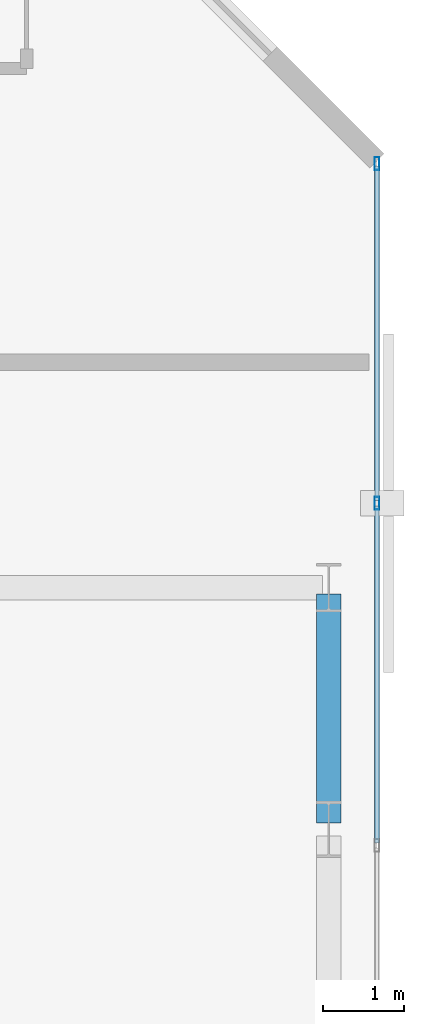
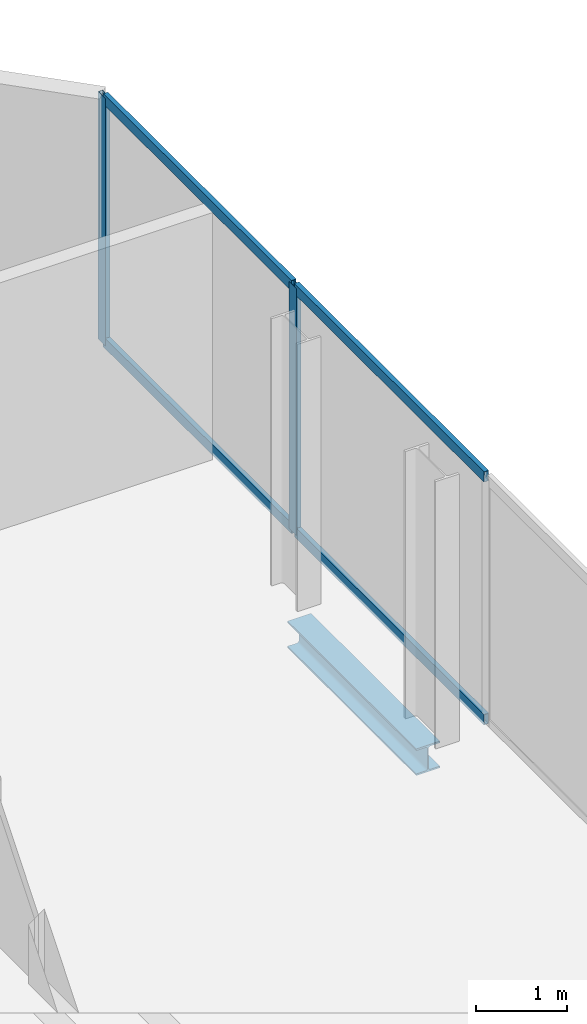
# One storey, part 26 of 32: 6 members, 1 beam, 1 element without a shape of its own.
"""IFC4 building model written with IfcOpenShell, lengths in metres."""

from ifc_helpers import new_model, si_unit, direction, frame, origin, origin_2d, place, context, subcontext, project, spatial, hollow_rectangle, i_section, extrude, material, layer, layer_set, material_profile, profile_set, type_object, element, aggregate, save


model = new_model("IFC4")

# Units and contexts
model_context = context("Model", 3, precision=1e-05, world=origin(), true_north=direction((0.0, 1.0)))
body_context = subcontext(model_context, "Body", "Model", "MODEL_VIEW")
ifc_project = project(units=[si_unit("LENGTHUNIT", "METRE"), si_unit("AREAUNIT", "SQUARE_METRE"), si_unit("VOLUMEUNIT", "CUBIC_METRE"), si_unit("PLANEANGLEUNIT", "RADIAN"), si_unit("MASSUNIT", "GRAM", prefix="KILO")], contexts=[model_context])

# Site, building, storey
site_placement = place(None, origin())
site = spatial("IfcSite", under=ifc_project, at=site_placement, CompositionType="ELEMENT")
building_placement = place(site_placement, origin())
building = spatial("IfcBuilding", under=site, at=building_placement, Name="Catumbela Crestline Tower", CompositionType="ELEMENT")
storey_placement = place(building_placement, frame((0.0, 0.0, 133.2)))
storey = spatial("IfcBuildingStorey", under=building, at=storey_placement, Name="L34", CompositionType="ELEMENT", Elevation=133.2)

# Curtain wall, members
ifc_material_1 = material(Name="Aluminium alloy AW-6060-T66", Category="aluminium")
ifc_layer = layer(ifc_material_1, 0.18, Name="Aluminium alloy AW-6060-T66")
ifc_layer_set = layer_set([ifc_layer], Name="Aluminium alloy AW-6060-T66")
curtain_wall_type = type_object("IfcCurtainWallType", Name="CWU-Z2", PredefinedType="USERDEFINED", material=ifc_layer_set)
curtain_wall_placement = place(storey_placement, origin())
curtain_wall = element("IfcCurtainWall", 1, at=curtain_wall_placement, inside=storey, type_object=curtain_wall_type, Name="L34 Unitised Curtain Wall CW-L34-E5S1", ObjectType="UNITISED", PredefinedType="USERDEFINED")
ifc_material_profile_1 = material_profile(ifc_material_1, hollow_rectangle(XDim=0.06, YDim=0.16, WallThickness=0.004, at=origin_2d()), Name="ALU 160x60x4")
ifc_profile_set_1 = profile_set([ifc_material_profile_1], Name="Aluminium alloy AW-6060-T66")
member_type_1 = type_object("IfcMemberType", Name="MUL-160X60", PredefinedType="MULLION", material=ifc_profile_set_1)
member_1_placement = place(storey_placement, frame((51.0, 40.25, 0.0), z_axis=(0.0, 0.0, 1.0), x_axis=(-1.0, 0.0, 0.0)))
member_1 = element("IfcMember", 2, at=member_1_placement, type_object=member_type_1, Name="CWU-Z2 mullion 4", PredefinedType="MULLION", context=body_context, shape_type="SweptSolid", body=[
    extrude(hollow_rectangle(XDim=0.06, YDim=0.16, WallThickness=0.004, at=origin_2d()), origin(), (0.0, 0.0, 1.0), 3.33),
])
member_2_placement = place(storey_placement, frame((51.0, 44.4675, 0.0), z_axis=(0.0, 0.0, 1.0), x_axis=(-1.0, 0.0, 0.0)))
member_2 = element("IfcMember", 3, at=member_2_placement, type_object=member_type_1, Name="CWU-Z2 mullion 5", PredefinedType="MULLION", context=body_context, shape_type="SweptSolid", body=[
    extrude(hollow_rectangle(XDim=0.06, YDim=0.16, WallThickness=0.004, at=origin_2d()), origin(), (0.0, 0.0, 1.0), 3.33),
])

# Beam
ifc_material_2 = material(Name="Structural steel S355J2", Category="steel")
ifc_material_profile_2 = material_profile(ifc_material_2, i_section(OverallWidth=0.3, OverallDepth=0.36, WebThickness=0.0125, FlangeThickness=0.0225, FilletRadius=0.027, at=origin_2d()), Name="HEB 360")
ifc_profile_set_2 = profile_set([ifc_material_profile_2], Name="Structural steel S355J2")
beam_type = type_object("IfcBeamType", Name="BS-HEB360", PredefinedType="SPANDREL", material=ifc_profile_set_2)
beam_placement = place(storey_placement, frame((50.4, 36.28, -0.44), z_axis=(0.0, 1.0, 0.0), x_axis=(-1.0, 0.0, 0.0)))
element("IfcBeam", 4, at=beam_placement, inside=storey, type_object=beam_type, Name="L34 Spandrel SP-L34-SN36", PredefinedType="SPANDREL", context=body_context, shape_type="SweptSolid", body=[
    extrude(i_section(OverallWidth=0.3, OverallDepth=0.36, WebThickness=0.0125, FlangeThickness=0.0225, FilletRadius=0.027, at=origin_2d()), origin(), (0.0, 0.0, 1.0), 2.84),
])

# Member
ifc_material_profile_3 = material_profile(ifc_material_1, hollow_rectangle(XDim=0.06, YDim=0.14, WallThickness=0.004, at=origin_2d()), Name="ALU 140x60x4")
ifc_profile_set_3 = profile_set([ifc_material_profile_3], Name="Aluminium alloy AW-6060-T66")
member_type_2 = type_object("IfcMemberType", Name="TRN-140X60", PredefinedType="USERDEFINED", material=ifc_profile_set_3)
member_3_placement = place(storey_placement, frame((51.0, 36.0325, 0.03), z_axis=(0.0, 1.0, 0.0), x_axis=(-1.0, 0.0, 0.0)))
member_3 = element("IfcMember", 5, at=member_3_placement, type_object=member_type_2, Name="CWU-Z2 transom 3.1", ObjectType="TRANSOM", PredefinedType="USERDEFINED", context=body_context, shape_type="SweptSolid", body=[
    extrude(hollow_rectangle(XDim=0.06, YDim=0.14, WallThickness=0.004, at=origin_2d()), origin(), (0.0, 0.0, 1.0), 4.185),
])

member_4_placement = place(storey_placement, frame((51.0, 36.0325, 3.3), z_axis=(0.0, 1.0, 0.0), x_axis=(-1.0, 0.0, 0.0)))
member_4 = element("IfcMember", 6, at=member_4_placement, type_object=member_type_2, Name="CWU-Z2 transom 3.2", ObjectType="TRANSOM", PredefinedType="USERDEFINED", context=body_context, shape_type="SweptSolid", body=[
    extrude(hollow_rectangle(XDim=0.06, YDim=0.14, WallThickness=0.004, at=origin_2d()), origin(), (0.0, 0.0, 1.0), 4.185),
])

member_5_placement = place(storey_placement, frame((51.0, 40.2825, 0.03), z_axis=(0.0, 1.0, 0.0), x_axis=(-1.0, 0.0, 0.0)))
member_5 = element("IfcMember", 7, at=member_5_placement, type_object=member_type_2, Name="CWU-Z2 transom 4.1", ObjectType="TRANSOM", PredefinedType="USERDEFINED", context=body_context, shape_type="SweptSolid", body=[
    extrude(hollow_rectangle(XDim=0.06, YDim=0.14, WallThickness=0.004, at=origin_2d()), origin(), (0.0, 0.0, 1.0), 4.1525),
])

member_6_placement = place(storey_placement, frame((51.0, 40.2825, 3.3), z_axis=(0.0, 1.0, 0.0), x_axis=(-1.0, 0.0, 0.0)))
member_6 = element("IfcMember", 8, at=member_6_placement, type_object=member_type_2, Name="CWU-Z2 transom 4.2", ObjectType="TRANSOM", PredefinedType="USERDEFINED", context=body_context, shape_type="SweptSolid", body=[
    extrude(hollow_rectangle(XDim=0.06, YDim=0.14, WallThickness=0.004, at=origin_2d()), origin(), (0.0, 0.0, 1.0), 4.1525),
])

aggregate(curtain_wall, [member_1, member_2, member_3, member_4, member_5, member_6])

save(model, "model.ifc")
